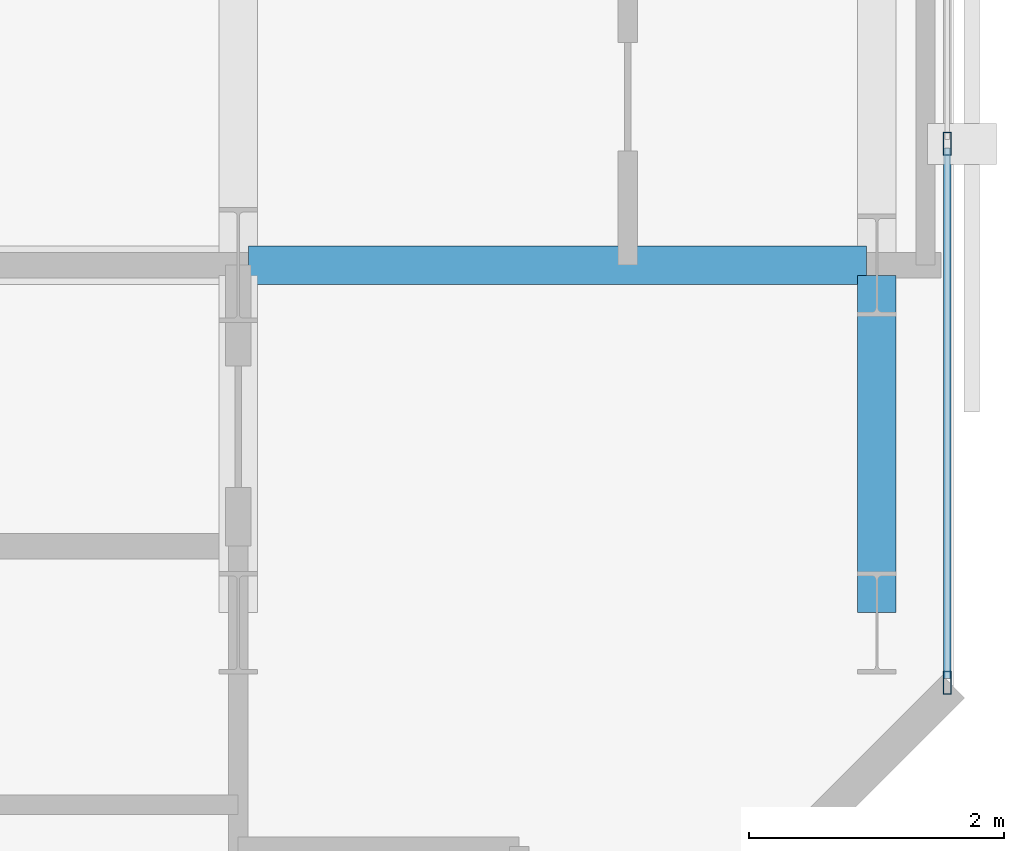
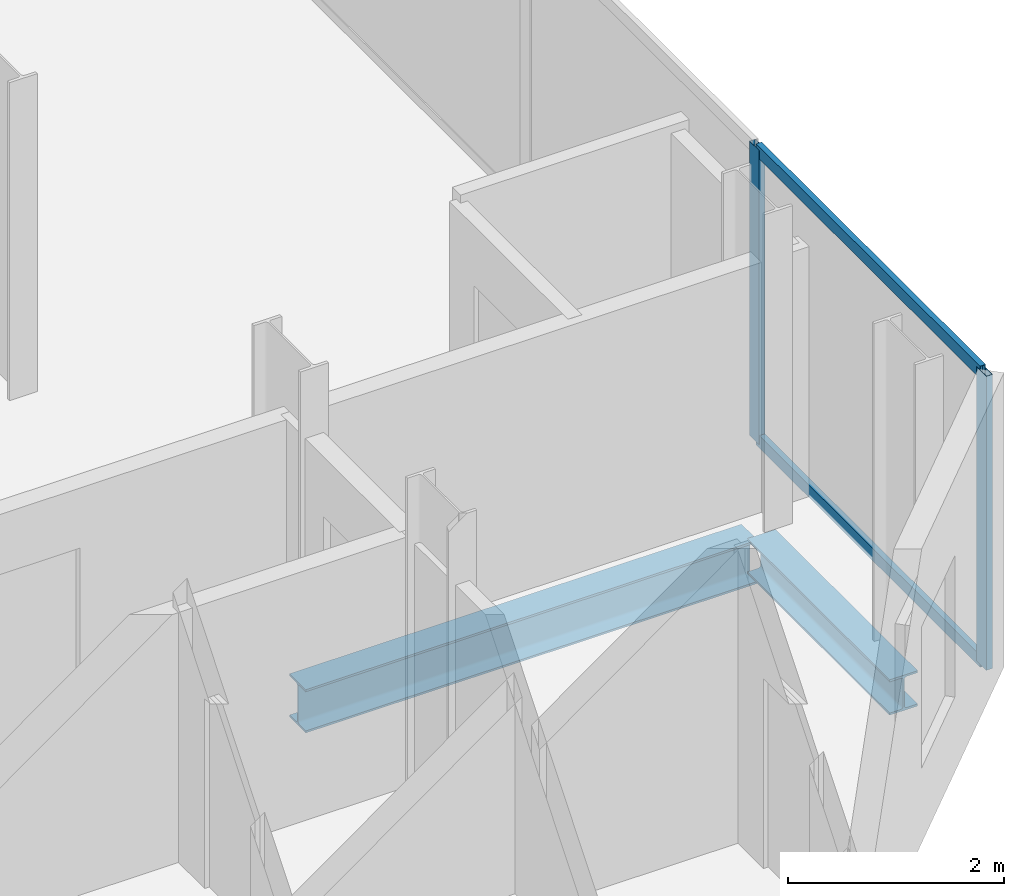
# One storey, part 17 of 33: 4 members, 2 beams, 1 element without a shape of its own.
"""IFC4 building model written with IfcOpenShell, lengths in metres."""

from ifc_helpers import new_model, si_unit, direction, frame, origin, origin_2d, place, context, subcontext, project, spatial, hollow_rectangle, i_section, extrude, material, layer, layer_set, material_profile, profile_set, type_object, element, aggregate, save


model = new_model("IFC4")

# Units and contexts
model_context = context("Model", 3, precision=1e-05, world=origin(), true_north=direction((0.0, 1.0)))
body_context = subcontext(model_context, "Body", "Model", "MODEL_VIEW")
ifc_project = project(units=[si_unit("LENGTHUNIT", "METRE"), si_unit("AREAUNIT", "SQUARE_METRE"), si_unit("VOLUMEUNIT", "CUBIC_METRE"), si_unit("PLANEANGLEUNIT", "RADIAN"), si_unit("MASSUNIT", "GRAM", prefix="KILO")], contexts=[model_context])

# Site, building, storey
site_placement = place(None, origin())
site = spatial("IfcSite", under=ifc_project, at=site_placement, CompositionType="ELEMENT")
building_placement = place(site_placement, origin())
building = spatial("IfcBuilding", under=site, at=building_placement, Name="Catumbela Crestline Tower", CompositionType="ELEMENT")
storey_placement = place(building_placement, frame((0.0, 0.0, 72.6)))
storey = spatial("IfcBuildingStorey", under=building, at=storey_placement, Name="L18", CompositionType="ELEMENT", Elevation=72.6)

# Beam
ifc_material_1 = material(Name="Structural steel S355J2", Category="steel")
ifc_material_profile_1 = material_profile(ifc_material_1, i_section(OverallWidth=0.3, OverallDepth=0.49, WebThickness=0.012, FlangeThickness=0.023, FilletRadius=0.027, at=origin_2d()), Name="HEA 500")
ifc_profile_set_1 = profile_set([ifc_material_profile_1], Name="Structural steel S355J2")
beam_type_1 = type_object("IfcBeamType", Name="BG-HEA500", PredefinedType="BEAM", material=ifc_profile_set_1)
beam_1_placement = place(storey_placement, frame((50.48, 30.8, -0.505), z_axis=(1.0, 0.0, 0.0), x_axis=(0.0, 1.0, 0.0)))
element("IfcBeam", 1, at=beam_1_placement, inside=storey, type_object=beam_type_1, Name="L18 Beam BM-L18-M12", PredefinedType="BEAM", context=body_context, shape_type="SweptSolid", body=[
    extrude(i_section(OverallWidth=0.3, OverallDepth=0.49, WebThickness=0.012, FlangeThickness=0.023, FilletRadius=0.027, at=origin_2d()), origin(), (0.0, 0.0, 1.0), 4.84),
])

# Curtain wall, members
ifc_material_2 = material(Name="Aluminium alloy AW-6060-T66", Category="aluminium")
ifc_layer = layer(ifc_material_2, 0.18, Name="Aluminium alloy AW-6060-T66")
ifc_layer_set = layer_set([ifc_layer], Name="Aluminium alloy AW-6060-T66")
curtain_wall_type = type_object("IfcCurtainWallType", Name="CWU-Z1", PredefinedType="USERDEFINED", material=ifc_layer_set)
curtain_wall_placement = place(storey_placement, origin())
curtain_wall = element("IfcCurtainWall", 2, at=curtain_wall_placement, inside=storey, type_object=curtain_wall_type, Name="L18 Unitised Curtain Wall CW-L18-E5S1", ObjectType="UNITISED", PredefinedType="USERDEFINED")
ifc_material_profile_2 = material_profile(ifc_material_2, hollow_rectangle(XDim=0.065, YDim=0.18, WallThickness=0.004, at=origin_2d()), Name="ALU 180x65x4")
ifc_profile_set_2 = profile_set([ifc_material_profile_2], Name="Aluminium alloy AW-6060-T66")
member_type_1 = type_object("IfcMemberType", Name="MUL-180X65", PredefinedType="MULLION", material=ifc_profile_set_2)
member_1_placement = place(storey_placement, frame((55.95, 27.5325, 0.0), z_axis=(0.0, 0.0, 1.0), x_axis=(-1.0, 0.0, 0.0)))
member_1 = element("IfcMember", 3, at=member_1_placement, type_object=member_type_1, Name="CWU-Z1 mullion 1", PredefinedType="MULLION", context=body_context, shape_type="SweptSolid", body=[
    extrude(hollow_rectangle(XDim=0.065, YDim=0.18, WallThickness=0.004, at=origin_2d()), origin(), (0.0, 0.0, 1.0), 3.33),
])
member_2_placement = place(storey_placement, frame((55.95, 31.75, 0.0), z_axis=(0.0, 0.0, 1.0), x_axis=(-1.0, 0.0, 0.0)))
member_2 = element("IfcMember", 4, at=member_2_placement, type_object=member_type_1, Name="CWU-Z1 mullion 2", PredefinedType="MULLION", context=body_context, shape_type="SweptSolid", body=[
    extrude(hollow_rectangle(XDim=0.065, YDim=0.18, WallThickness=0.004, at=origin_2d()), origin(), (0.0, 0.0, 1.0), 3.33),
])

# Beam
ifc_material_profile_3 = material_profile(ifc_material_1, i_section(OverallWidth=0.3, OverallDepth=0.4, WebThickness=0.0135, FlangeThickness=0.024, FilletRadius=0.027, at=origin_2d()), Name="HEB 400")
ifc_profile_set_3 = profile_set([ifc_material_profile_3], Name="Structural steel S355J2")
beam_type_2 = type_object("IfcBeamType", Name="BS-HEB400", PredefinedType="SPANDREL", material=ifc_profile_set_3)
beam_2_placement = place(storey_placement, frame((55.4, 28.08, -0.46), z_axis=(0.0, 1.0, 0.0), x_axis=(-1.0, 0.0, 0.0)))
element("IfcBeam", 5, at=beam_2_placement, inside=storey, type_object=beam_type_2, Name="L18 Spandrel SP-L18-SN40", PredefinedType="SPANDREL", context=body_context, shape_type="SweptSolid", body=[
    extrude(i_section(OverallWidth=0.3, OverallDepth=0.4, WebThickness=0.0135, FlangeThickness=0.024, FilletRadius=0.027, at=origin_2d()), origin(), (0.0, 0.0, 1.0), 2.64),
])

# Member
ifc_material_profile_4 = material_profile(ifc_material_2, hollow_rectangle(XDim=0.06, YDim=0.14, WallThickness=0.004, at=origin_2d()), Name="ALU 140x60x4")
ifc_profile_set_4 = profile_set([ifc_material_profile_4], Name="Aluminium alloy AW-6060-T66")
member_type_2 = type_object("IfcMemberType", Name="TRN-140X60", PredefinedType="USERDEFINED", material=ifc_profile_set_4)
member_3_placement = place(storey_placement, frame((55.95, 27.565, 0.03), z_axis=(0.0, 1.0, 0.0), x_axis=(-1.0, 0.0, 0.0)))
member_3 = element("IfcMember", 6, at=member_3_placement, type_object=member_type_2, Name="CWU-Z1 transom 1.1", ObjectType="TRANSOM", PredefinedType="USERDEFINED", context=body_context, shape_type="SweptSolid", body=[
    extrude(hollow_rectangle(XDim=0.06, YDim=0.14, WallThickness=0.004, at=origin_2d()), origin(), (0.0, 0.0, 1.0), 4.1525),
])

member_4_placement = place(storey_placement, frame((55.95, 27.565, 3.3), z_axis=(0.0, 1.0, 0.0), x_axis=(-1.0, 0.0, 0.0)))
member_4 = element("IfcMember", 7, at=member_4_placement, type_object=member_type_2, Name="CWU-Z1 transom 1.2", ObjectType="TRANSOM", PredefinedType="USERDEFINED", context=body_context, shape_type="SweptSolid", body=[
    extrude(hollow_rectangle(XDim=0.06, YDim=0.14, WallThickness=0.004, at=origin_2d()), origin(), (0.0, 0.0, 1.0), 4.1525),
])

aggregate(curtain_wall, [member_1, member_2, member_3, member_4])

save(model, "model.ifc")
